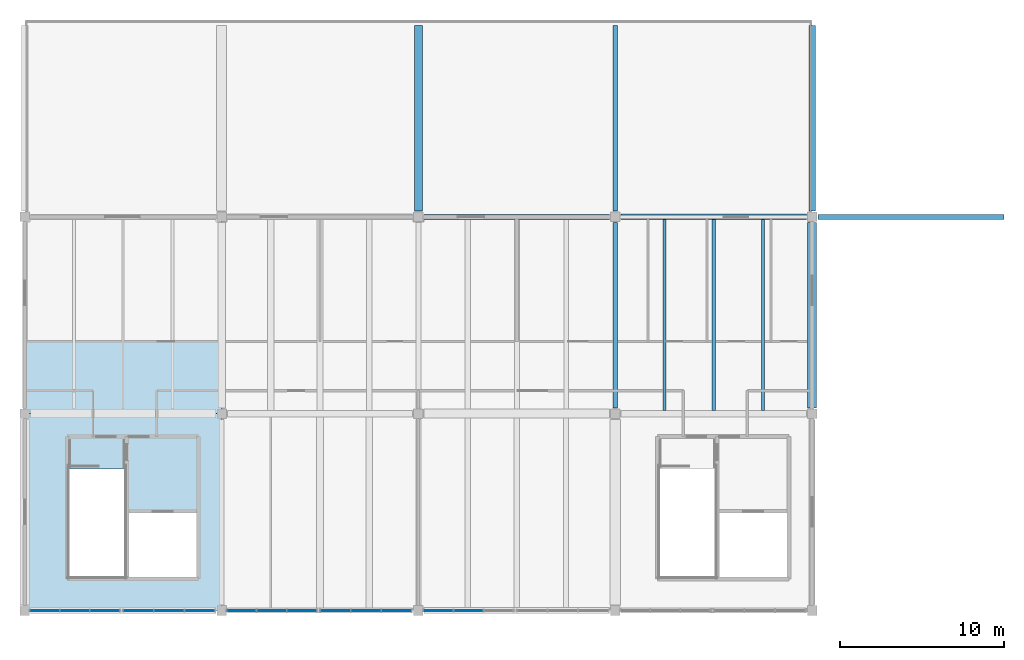
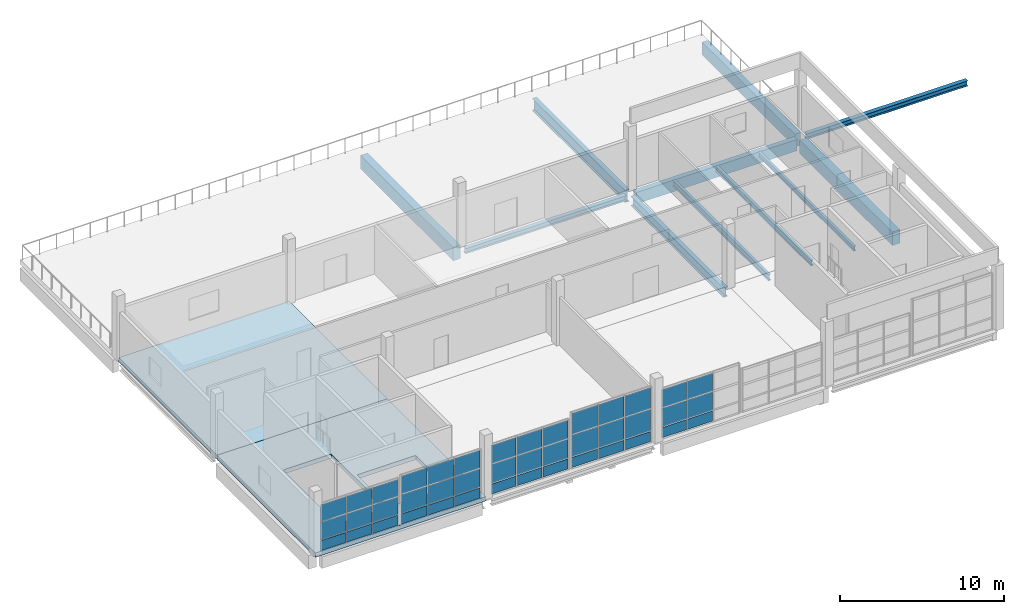
# One storey, part 4 of 8: 42 plates, 11 beams, 2 slabs, 5 elements without a shape of their own.
"""IFC4 building model written with IfcOpenShell, lengths in metres."""

from ifc_helpers import new_model, si_unit, direction, frame, origin, origin_2d, place, context, subcontext, project, spatial, polyline, rectangle, i_section, outline, extrude, material, layer, layer_set, material_profile, profile_set, type_object, element, aggregate, save


model = new_model("IFC4")

# Units and contexts
model_context = context("Model", 3, precision=1e-05, world=origin(), true_north=direction((0.0, 1.0)))
body_context = subcontext(model_context, "Body", "Model", "MODEL_VIEW")
ifc_project = project(units=[si_unit("LENGTHUNIT", "METRE"), si_unit("AREAUNIT", "SQUARE_METRE"), si_unit("VOLUMEUNIT", "CUBIC_METRE"), si_unit("PLANEANGLEUNIT", "RADIAN"), si_unit("MASSUNIT", "GRAM", prefix="KILO")], contexts=[model_context])

# Site, building, storey
site_placement = place(None, origin())
site = spatial("IfcSite", under=ifc_project, at=site_placement, CompositionType="ELEMENT")
building_placement = place(site_placement, origin())
building = spatial("IfcBuilding", under=site, at=building_placement, Name="Kamomehara Wholesale Market", CompositionType="ELEMENT")
storey_placement = place(building_placement, frame((0.0, 0.0, 16.199951171875)))
storey = spatial("IfcBuildingStorey", under=building, at=storey_placement, Name="L03", CompositionType="ELEMENT", Elevation=16.199951171875)

# Beams
ifc_material_1 = material(Name="Precast concrete Fc45 (C40/50)", Category="concrete")
ifc_material_profile_1 = material_profile(ifc_material_1, rectangle(XDim=0.5, YDim=1.0, at=origin_2d()), Name="PC-GRD-500x1000")
ifc_profile_set_1 = profile_set([ifc_material_profile_1], Name="Precast concrete Fc45 (C40/50)")
beam_type_1 = type_object("IfcBeamType", Name="BM-PG1000", PredefinedType="T_BEAM", material=ifc_profile_set_1)
beam_1_placement = place(storey_placement, frame((132.0, 36.35009765625, -0.846923828125), z_axis=(0.0, 1.0, 0.0), x_axis=(-1.0, 0.0, 0.0)))
element("IfcBeam", 1, at=beam_1_placement, inside=storey, type_object=beam_type_1, Name="Beam PG-09 L03", PredefinedType="T_BEAM", context=body_context, shape_type="SweptSolid", body=[
    extrude(rectangle(XDim=0.5, YDim=1.0, at=origin_2d()), origin(), (0.0, 0.0, 1.0), 11.324951171875),
])
ifc_material_2 = material(Name="Concrete Fc36 (C35/45)", Category="concrete")
ifc_material_profile_2 = material_profile(ifc_material_2, rectangle(XDim=0.550048828125, YDim=1.0, at=origin_2d()), Name="RC-SEB-550x1000")
ifc_profile_set_2 = profile_set([ifc_material_profile_2], Name="Concrete Fc36 (C35/45)")
beam_type_2 = type_object("IfcBeamType", Name="BM-SEB1000-EXT", PredefinedType="SPANDREL", material=ifc_profile_set_2)
beam_2_placement = place(storey_placement, frame((156.0, 24.35009765625, -0.822021484375), z_axis=(0.0, 1.0, 0.0), x_axis=(-1.0, 0.0, 0.0)))
element("IfcBeam", 2, at=beam_2_placement, inside=storey, type_object=beam_type_2, Name="Beam SEB-03E L03", PredefinedType="SPANDREL", context=body_context, shape_type="SweptSolid", body=[
    extrude(rectangle(XDim=0.550048828125, YDim=1.0, at=origin_2d()), origin(), (0.0, 0.0, 1.0), 11.2998046875),
])
ifc_material_3 = material(Name="Precast concrete Fc45 (C40/50)", Category="concrete")
ifc_material_profile_3 = material_profile(ifc_material_3, rectangle(XDim=0.35009765625, YDim=0.85009765625, at=origin_2d()), Name="PC-SPN-350x850")
ifc_profile_set_3 = profile_set([ifc_material_profile_3], Name="Precast concrete Fc45 (C40/50)")
beam_type_3 = type_object("IfcBeamType", Name="BM-SPN850-EXT", PredefinedType="SPANDREL", material=ifc_profile_set_3)
beam_3_placement = place(storey_placement, frame((144.35009765625, 36.0, -0.77197265625), z_axis=(1.0, 0.0, 0.0), x_axis=(0.0, 1.0, 0.0)))
element("IfcBeam", 3, at=beam_3_placement, inside=storey, type_object=beam_type_3, Name="Beam SPN-02E L03", PredefinedType="SPANDREL", context=body_context, shape_type="SweptSolid", body=[
    extrude(rectangle(XDim=0.35009765625, YDim=0.85009765625, at=origin_2d()), origin(), (0.0, 0.0, 1.0), 11.2998046875),
])
ifc_material_4 = material(Name="Precast concrete Fc45 (C40/50)", Category="concrete")
ifc_material_profile_4 = material_profile(ifc_material_4, rectangle(XDim=0.39990234375, YDim=0.949951171875, at=origin_2d()), Name="PC-SPN-400x950")
ifc_profile_set_4 = profile_set([ifc_material_profile_4], Name="Precast concrete Fc45 (C40/50)")
beam_type_4 = type_object("IfcBeamType", Name="BM-SPN950-EXT", PredefinedType="SPANDREL", material=ifc_profile_set_4)
beam_4_placement = place(storey_placement, frame((156.0, 36.35009765625, -0.822021484375), z_axis=(0.0, 1.0, 0.0), x_axis=(-1.0, 0.0, 0.0)))
element("IfcBeam", 4, at=beam_4_placement, inside=storey, type_object=beam_type_4, Name="Beam SPN-01E L03", PredefinedType="SPANDREL", context=body_context, shape_type="SweptSolid", body=[
    extrude(rectangle(XDim=0.39990234375, YDim=0.949951171875, at=origin_2d()), origin(), (0.0, 0.0, 1.0), 11.324951171875),
])
ifc_material_5 = material(Name="Steel SN400B", Category="steel")
ifc_material_profile_5 = material_profile(ifc_material_5, i_section(OverallWidth=0.175048828125, OverallDepth=0.35009765625, WebThickness=0.007080078125, FlangeThickness=0.010986328125, FilletRadius=0.012939453125, at=origin_2d()), Name="H-350x175x7x11")
ifc_profile_set_5 = profile_set([ifc_material_profile_5], Name="Steel SN400B")
beam_type_5 = type_object("IfcBeamType", Name="BM-ST-H350", PredefinedType="JOIST", material=ifc_profile_set_5)
beam_5_placement = place(storey_placement, frame((153.0, 24.199951171875, -0.4970703125), z_axis=(0.0, 1.0, 0.0), x_axis=(-1.0, 0.0, 0.0)))
element("IfcBeam", 5, at=beam_5_placement, inside=storey, type_object=beam_type_5, Name="Beam SJ-04 L03", PredefinedType="JOIST", context=body_context, shape_type="SweptSolid", body=[
    extrude(i_section(OverallWidth=0.175048828125, OverallDepth=0.35009765625, WebThickness=0.007080078125, FlangeThickness=0.010986328125, FilletRadius=0.012939453125, at=origin_2d()), origin(), (0.0, 0.0, 1.0), 11.625),
])
ifc_material_6 = material(Name="Steel SN490B", Category="steel")
ifc_material_profile_6 = material_profile(ifc_material_6, i_section(OverallWidth=0.300048828125, OverallDepth=0.389892578125, WebThickness=0.010009765625, FlangeThickness=0.01611328125, FilletRadius=0.01806640625, at=origin_2d()), Name="H-390x300x10x16")
ifc_profile_set_6 = profile_set([ifc_material_profile_6], Name="Steel SN490B")
beam_type_6 = type_object("IfcBeamType", Name="BM-ST-H390-EXT", PredefinedType="SPANDREL", material=ifc_profile_set_6)
beam_6_placement = place(storey_placement, frame((132.35009765625, 36.0, -0.5419921875), z_axis=(1.0, 0.0, 0.0), x_axis=(0.0, 1.0, 0.0)))
element("IfcBeam", 6, at=beam_6_placement, inside=storey, type_object=beam_type_6, Name="Beam SJ-03E L03", PredefinedType="SPANDREL", context=body_context, shape_type="SweptSolid", body=[
    extrude(i_section(OverallWidth=0.300048828125, OverallDepth=0.389892578125, WebThickness=0.010009765625, FlangeThickness=0.01611328125, FilletRadius=0.01806640625, at=origin_2d()), origin(), (0.0, 0.0, 1.0), 11.2998046875),
])
beam_7_placement = place(storey_placement, frame((156.35009765625, 36.0, -0.4150390625), z_axis=(1.0, 0.0, 0.0), x_axis=(0.0, 1.0, 0.0)))
element("IfcBeam", 7, at=beam_7_placement, inside=storey, type_object=beam_type_6, Name="Beam SJ-03E L03", PredefinedType="SPANDREL", context=body_context, shape_type="SweptSolid", body=[
    extrude(i_section(OverallWidth=0.300048828125, OverallDepth=0.389892578125, WebThickness=0.010009765625, FlangeThickness=0.01611328125, FilletRadius=0.01806640625, at=origin_2d()), origin(), (0.0, 0.0, 1.0), 11.349853515625),
])
ifc_material_7 = material(Name="Steel SN400B", Category="steel")
ifc_material_profile_7 = material_profile(ifc_material_7, i_section(OverallWidth=0.199951171875, OverallDepth=0.39990234375, WebThickness=0.008056640625, FlangeThickness=0.012939453125, FilletRadius=0.012939453125, at=origin_2d()), Name="H-400x200x8x13")
ifc_profile_set_7 = profile_set([ifc_material_profile_7], Name="Steel SN400B")
beam_type_7 = type_object("IfcBeamType", Name="BM-ST-H400", PredefinedType="JOIST", material=ifc_profile_set_7)
beam_8_placement = place(storey_placement, frame((150.0, 24.199951171875, -0.52197265625), z_axis=(0.0, 1.0, 0.0), x_axis=(-1.0, 0.0, 0.0)))
element("IfcBeam", 8, at=beam_8_placement, inside=storey, type_object=beam_type_7, Name="Beam SJ-02 L03", PredefinedType="JOIST", context=body_context, shape_type="SweptSolid", body=[
    extrude(i_section(OverallWidth=0.199951171875, OverallDepth=0.39990234375, WebThickness=0.008056640625, FlangeThickness=0.012939453125, FilletRadius=0.012939453125, at=origin_2d()), origin(), (0.0, 0.0, 1.0), 11.625),
])
ifc_material_8 = material(Name="Steel SN400B", Category="steel")
ifc_material_profile_8 = material_profile(ifc_material_8, i_section(OverallWidth=0.199951171875, OverallDepth=0.449951171875, WebThickness=0.009033203125, FlangeThickness=0.013916015625, FilletRadius=0.012939453125, at=origin_2d()), Name="H-450x200x9x14")
ifc_profile_set_8 = profile_set([ifc_material_profile_8], Name="Steel SN400B")
beam_type_8 = type_object("IfcBeamType", Name="BM-ST-H450", PredefinedType="JOIST", material=ifc_profile_set_8)
beam_9_placement = place(storey_placement, frame((147.0, 24.199951171875, -0.546875), z_axis=(0.0, 1.0, 0.0), x_axis=(-1.0, 0.0, 0.0)))
element("IfcBeam", 9, at=beam_9_placement, inside=storey, type_object=beam_type_8, Name="Beam SJ-01 L03", PredefinedType="JOIST", context=body_context, shape_type="SweptSolid", body=[
    extrude(i_section(OverallWidth=0.199951171875, OverallDepth=0.449951171875, WebThickness=0.009033203125, FlangeThickness=0.013916015625, FilletRadius=0.012939453125, at=origin_2d()), origin(), (0.0, 0.0, 1.0), 11.625),
])
ifc_material_9 = material(Name="Steel SN490B", Category="steel")
ifc_material_profile_9 = material_profile(ifc_material_9, i_section(OverallWidth=0.300048828125, OverallDepth=0.699951171875, WebThickness=0.012939453125, FlangeThickness=0.02392578125, FilletRadius=0.02197265625, at=origin_2d()), Name="H-700x300x13x24")
ifc_profile_set_9 = profile_set([ifc_material_profile_9], Name="Steel SN490B")
beam_type_9 = type_object("IfcBeamType", Name="BM-ST-H700", PredefinedType="BEAM", material=ifc_profile_set_9)
beam_10_placement = place(storey_placement, frame((144.0, 24.35009765625, -0.681884765625), z_axis=(0.0, 1.0, 0.0), x_axis=(-1.0, 0.0, 0.0)))
element("IfcBeam", 10, at=beam_10_placement, inside=storey, type_object=beam_type_9, Name="Beam SG-03 L03", PredefinedType="BEAM", context=body_context, shape_type="SweptSolid", body=[
    extrude(i_section(OverallWidth=0.300048828125, OverallDepth=0.699951171875, WebThickness=0.012939453125, FlangeThickness=0.02392578125, FilletRadius=0.02197265625, at=origin_2d()), origin(), (0.0, 0.0, 1.0), 11.2998046875),
])
ifc_material_10 = material(Name="Steel SN490B", Category="steel")
ifc_material_profile_10 = material_profile(ifc_material_10, i_section(OverallWidth=0.300048828125, OverallDepth=0.89990234375, WebThickness=0.01611328125, FlangeThickness=0.028076171875, FilletRadius=0.02392578125, at=origin_2d()), Name="H-900x300x16x28")
ifc_profile_set_10 = profile_set([ifc_material_profile_10], Name="Steel SN490B")
beam_type_10 = type_object("IfcBeamType", Name="BM-ST-H900", PredefinedType="BEAM", material=ifc_profile_set_10)
beam_11_placement = place(storey_placement, frame((144.0, 36.35009765625, -0.796875), z_axis=(0.0, 1.0, 0.0), x_axis=(-1.0, 0.0, 0.0)))
element("IfcBeam", 11, at=beam_11_placement, inside=storey, type_object=beam_type_10, Name="Beam SG-01 L03", PredefinedType="BEAM", context=body_context, shape_type="SweptSolid", body=[
    extrude(i_section(OverallWidth=0.300048828125, OverallDepth=0.89990234375, WebThickness=0.01611328125, FlangeThickness=0.028076171875, FilletRadius=0.02392578125, at=origin_2d()), origin(), (0.0, 0.0, 1.0), 11.324951171875),
])

# Curtain wall, plates
ifc_material_11 = material(Name="Anodised aluminium 6063-T5", Category="aluminium")
curtain_wall_type = type_object("IfcCurtainWallType", Name="CW-UN-01", PredefinedType="NOTDEFINED", material=ifc_material_11)
curtain_wall_1_placement = place(storey_placement, origin())
curtain_wall_1 = element("IfcCurtainWall", 12, at=curtain_wall_1_placement, inside=storey, type_object=curtain_wall_type, Name="Unitised curtain wall CW-151", PredefinedType="NOTDEFINED")
ifc_material_12 = material(Name="Solar-control Low-E double glazing", Category="glass")
ifc_layer_1 = layer(ifc_material_12, 0.028076171875)
ifc_layer_set_1 = layer_set([ifc_layer_1], Name="Solar-control Low-E double glazing")
plate_type_1 = type_object("IfcPlateType", Name="CW-PNL-GLZ", PredefinedType="CURTAIN_PANEL", material=ifc_layer_set_1)
plate_1_placement = place(storey_placement, frame((118.6669921875, 11.97998046875, 0.87939453125), z_axis=(0.0, 0.0, 1.0), x_axis=(-1.0, 0.0, 0.0)))
plate_1 = element("IfcPlate", 13, at=plate_1_placement, type_object=plate_type_1, Name="Curtain panel CW-151.0.1", PredefinedType="CURTAIN_PANEL", context=body_context, shape_type="SweptSolid", body=[
    extrude(rectangle(XDim=1.787109375, YDim=0.028076171875, at=origin_2d()), origin(), (0.0, 0.0, 1.0), 1.368896484375),
])
plate_2_placement = place(storey_placement, frame((118.6669921875, 11.97998046875, 2.30859375), z_axis=(0.0, 0.0, 1.0), x_axis=(-1.0, 0.0, 0.0)))
plate_2 = element("IfcPlate", 14, at=plate_2_placement, type_object=plate_type_1, Name="Curtain panel CW-151.0.2", PredefinedType="CURTAIN_PANEL", context=body_context, shape_type="SweptSolid", body=[
    extrude(rectangle(XDim=1.787109375, YDim=0.028076171875, at=origin_2d()), origin(), (0.0, 0.0, 1.0), 1.3291015625),
])
plate_3_placement = place(storey_placement, frame((116.800048828125, 11.97998046875, 0.87939453125), z_axis=(0.0, 0.0, 1.0), x_axis=(-1.0, 0.0, 0.0)))
plate_3 = element("IfcPlate", 15, at=plate_3_placement, type_object=plate_type_1, Name="Curtain panel CW-151.1.1", PredefinedType="CURTAIN_PANEL", context=body_context, shape_type="SweptSolid", body=[
    extrude(rectangle(XDim=1.787109375, YDim=0.028076171875, at=origin_2d()), origin(), (0.0, 0.0, 1.0), 1.368896484375),
])
plate_4_placement = place(storey_placement, frame((116.800048828125, 11.97998046875, 2.30859375), z_axis=(0.0, 0.0, 1.0), x_axis=(-1.0, 0.0, 0.0)))
plate_4 = element("IfcPlate", 16, at=plate_4_placement, type_object=plate_type_1, Name="Curtain panel CW-151.1.2", PredefinedType="CURTAIN_PANEL", context=body_context, shape_type="SweptSolid", body=[
    extrude(rectangle(XDim=1.787109375, YDim=0.028076171875, at=origin_2d()), origin(), (0.0, 0.0, 1.0), 1.3291015625),
])
plate_5_placement = place(storey_placement, frame((114.93310546875, 11.97998046875, 0.87939453125), z_axis=(0.0, 0.0, 1.0), x_axis=(-1.0, 0.0, 0.0)))
plate_5 = element("IfcPlate", 17, at=plate_5_placement, type_object=plate_type_1, Name="Curtain panel CW-151.2.1", PredefinedType="CURTAIN_PANEL", context=body_context, shape_type="SweptSolid", body=[
    extrude(rectangle(XDim=1.787109375, YDim=0.028076171875, at=origin_2d()), origin(), (0.0, 0.0, 1.0), 1.368896484375),
])
plate_6_placement = place(storey_placement, frame((114.93310546875, 11.97998046875, 2.30859375), z_axis=(0.0, 0.0, 1.0), x_axis=(-1.0, 0.0, 0.0)))
plate_6 = element("IfcPlate", 18, at=plate_6_placement, type_object=plate_type_1, Name="Curtain panel CW-151.2.2", PredefinedType="CURTAIN_PANEL", context=body_context, shape_type="SweptSolid", body=[
    extrude(rectangle(XDim=1.787109375, YDim=0.028076171875, at=origin_2d()), origin(), (0.0, 0.0, 1.0), 1.3291015625),
])

curtain_wall_2_placement = place(storey_placement, origin())
curtain_wall_2 = element("IfcCurtainWall", 19, at=curtain_wall_2_placement, inside=storey, type_object=curtain_wall_type, Name="Unitised curtain wall CW-152", PredefinedType="NOTDEFINED")
plate_7_placement = place(storey_placement, frame((112.883056640625, 11.97998046875, 0.880126953125), z_axis=(0.0, 0.0, 1.0), x_axis=(-1.0, 0.0, 0.0)))
plate_7 = element("IfcPlate", 20, at=plate_7_placement, type_object=plate_type_1, Name="Curtain panel CW-152.0.1", PredefinedType="CURTAIN_PANEL", context=body_context, shape_type="SweptSolid", body=[
    extrude(rectangle(XDim=1.7529296875, YDim=0.028076171875, at=origin_2d()), origin(), (0.0, 0.0, 1.0), 1.2939453125),
])
plate_8_placement = place(storey_placement, frame((112.883056640625, 11.97998046875, 2.234130859375), z_axis=(0.0, 0.0, 1.0), x_axis=(-1.0, 0.0, 0.0)))
plate_8 = element("IfcPlate", 21, at=plate_8_placement, type_object=plate_type_1, Name="Curtain panel CW-152.0.2", PredefinedType="CURTAIN_PANEL", context=body_context, shape_type="SweptSolid", body=[
    extrude(rectangle(XDim=1.7529296875, YDim=0.028076171875, at=origin_2d()), origin(), (0.0, 0.0, 1.0), 1.25390625),
])
plate_9_placement = place(storey_placement, frame((111.050048828125, 11.97998046875, 0.880126953125), z_axis=(0.0, 0.0, 1.0), x_axis=(-1.0, 0.0, 0.0)))
plate_9 = element("IfcPlate", 22, at=plate_9_placement, type_object=plate_type_1, Name="Curtain panel CW-152.1.1", PredefinedType="CURTAIN_PANEL", context=body_context, shape_type="SweptSolid", body=[
    extrude(rectangle(XDim=1.7529296875, YDim=0.028076171875, at=origin_2d()), origin(), (0.0, 0.0, 1.0), 1.2939453125),
])
plate_10_placement = place(storey_placement, frame((111.050048828125, 11.97998046875, 2.234130859375), z_axis=(0.0, 0.0, 1.0), x_axis=(-1.0, 0.0, 0.0)))
plate_10 = element("IfcPlate", 23, at=plate_10_placement, type_object=plate_type_1, Name="Curtain panel CW-152.1.2", PredefinedType="CURTAIN_PANEL", context=body_context, shape_type="SweptSolid", body=[
    extrude(rectangle(XDim=1.7529296875, YDim=0.028076171875, at=origin_2d()), origin(), (0.0, 0.0, 1.0), 1.25390625),
])
plate_11_placement = place(storey_placement, frame((109.217041015625, 11.97998046875, 0.880126953125), z_axis=(0.0, 0.0, 1.0), x_axis=(-1.0, 0.0, 0.0)))
plate_11 = element("IfcPlate", 24, at=plate_11_placement, type_object=plate_type_1, Name="Curtain panel CW-152.2.1", PredefinedType="CURTAIN_PANEL", context=body_context, shape_type="SweptSolid", body=[
    extrude(rectangle(XDim=1.7529296875, YDim=0.028076171875, at=origin_2d()), origin(), (0.0, 0.0, 1.0), 1.2939453125),
])
plate_12_placement = place(storey_placement, frame((109.217041015625, 11.97998046875, 2.234130859375), z_axis=(0.0, 0.0, 1.0), x_axis=(-1.0, 0.0, 0.0)))
plate_12 = element("IfcPlate", 25, at=plate_12_placement, type_object=plate_type_1, Name="Curtain panel CW-152.2.2", PredefinedType="CURTAIN_PANEL", context=body_context, shape_type="SweptSolid", body=[
    extrude(rectangle(XDim=1.7529296875, YDim=0.028076171875, at=origin_2d()), origin(), (0.0, 0.0, 1.0), 1.25390625),
])

curtain_wall_3_placement = place(storey_placement, origin())
curtain_wall_3 = element("IfcCurtainWall", 26, at=curtain_wall_3_placement, inside=storey, type_object=curtain_wall_type, Name="Unitised curtain wall CW-153", PredefinedType="NOTDEFINED")
plate_13_placement = place(storey_placement, frame((130.6669921875, 11.97998046875, 0.88037109375), z_axis=(0.0, 0.0, 1.0), x_axis=(-1.0, 0.0, 0.0)))
plate_13 = element("IfcPlate", 27, at=plate_13_placement, type_object=plate_type_1, Name="Curtain panel CW-153.0.1", PredefinedType="CURTAIN_PANEL", context=body_context, shape_type="SweptSolid", body=[
    extrude(rectangle(XDim=1.787109375, YDim=0.028076171875, at=origin_2d()), origin(), (0.0, 0.0, 1.0), 1.59912109375),
])
plate_14_placement = place(storey_placement, frame((130.6669921875, 11.97998046875, 2.53857421875), z_axis=(0.0, 0.0, 1.0), x_axis=(-1.0, 0.0, 0.0)))
plate_14 = element("IfcPlate", 28, at=plate_14_placement, type_object=plate_type_1, Name="Curtain panel CW-153.0.2", PredefinedType="CURTAIN_PANEL", context=body_context, shape_type="SweptSolid", body=[
    extrude(rectangle(XDim=1.787109375, YDim=0.028076171875, at=origin_2d()), origin(), (0.0, 0.0, 1.0), 1.55908203125),
])
plate_15_placement = place(storey_placement, frame((128.800048828125, 11.97998046875, 0.88037109375), z_axis=(0.0, 0.0, 1.0), x_axis=(-1.0, 0.0, 0.0)))
plate_15 = element("IfcPlate", 29, at=plate_15_placement, type_object=plate_type_1, Name="Curtain panel CW-153.1.1", PredefinedType="CURTAIN_PANEL", context=body_context, shape_type="SweptSolid", body=[
    extrude(rectangle(XDim=1.787109375, YDim=0.028076171875, at=origin_2d()), origin(), (0.0, 0.0, 1.0), 1.59912109375),
])
plate_16_placement = place(storey_placement, frame((128.800048828125, 11.97998046875, 2.53857421875), z_axis=(0.0, 0.0, 1.0), x_axis=(-1.0, 0.0, 0.0)))
plate_16 = element("IfcPlate", 30, at=plate_16_placement, type_object=plate_type_1, Name="Curtain panel CW-153.1.2", PredefinedType="CURTAIN_PANEL", context=body_context, shape_type="SweptSolid", body=[
    extrude(rectangle(XDim=1.787109375, YDim=0.028076171875, at=origin_2d()), origin(), (0.0, 0.0, 1.0), 1.55908203125),
])
plate_17_placement = place(storey_placement, frame((126.93310546875, 11.97998046875, 0.88037109375), z_axis=(0.0, 0.0, 1.0), x_axis=(-1.0, 0.0, 0.0)))
plate_17 = element("IfcPlate", 31, at=plate_17_placement, type_object=plate_type_1, Name="Curtain panel CW-153.2.1", PredefinedType="CURTAIN_PANEL", context=body_context, shape_type="SweptSolid", body=[
    extrude(rectangle(XDim=1.787109375, YDim=0.028076171875, at=origin_2d()), origin(), (0.0, 0.0, 1.0), 1.59912109375),
])
plate_18_placement = place(storey_placement, frame((126.93310546875, 11.97998046875, 2.53857421875), z_axis=(0.0, 0.0, 1.0), x_axis=(-1.0, 0.0, 0.0)))
plate_18 = element("IfcPlate", 32, at=plate_18_placement, type_object=plate_type_1, Name="Curtain panel CW-153.2.2", PredefinedType="CURTAIN_PANEL", context=body_context, shape_type="SweptSolid", body=[
    extrude(rectangle(XDim=1.787109375, YDim=0.028076171875, at=origin_2d()), origin(), (0.0, 0.0, 1.0), 1.55908203125),
])

curtain_wall_4_placement = place(storey_placement, origin())
curtain_wall_4 = element("IfcCurtainWall", 33, at=curtain_wall_4_placement, inside=storey, type_object=curtain_wall_type, Name="Unitised curtain wall CW-154", PredefinedType="NOTDEFINED")
plate_19_placement = place(storey_placement, frame((124.883056640625, 11.97998046875, 0.880126953125), z_axis=(0.0, 0.0, 1.0), x_axis=(-1.0, 0.0, 0.0)))
plate_19 = element("IfcPlate", 34, at=plate_19_placement, type_object=plate_type_1, Name="Curtain panel CW-154.0.1", PredefinedType="CURTAIN_PANEL", context=body_context, shape_type="SweptSolid", body=[
    extrude(rectangle(XDim=1.7529296875, YDim=0.028076171875, at=origin_2d()), origin(), (0.0, 0.0, 1.0), 1.39794921875),
])
plate_20_placement = place(storey_placement, frame((124.883056640625, 11.97998046875, 2.338134765625), z_axis=(0.0, 0.0, 1.0), x_axis=(-1.0, 0.0, 0.0)))
plate_20 = element("IfcPlate", 35, at=plate_20_placement, type_object=plate_type_1, Name="Curtain panel CW-154.0.2", PredefinedType="CURTAIN_PANEL", context=body_context, shape_type="SweptSolid", body=[
    extrude(rectangle(XDim=1.7529296875, YDim=0.028076171875, at=origin_2d()), origin(), (0.0, 0.0, 1.0), 1.35791015625),
])
plate_21_placement = place(storey_placement, frame((123.050048828125, 11.97998046875, 0.880126953125), z_axis=(0.0, 0.0, 1.0), x_axis=(-1.0, 0.0, 0.0)))
plate_21 = element("IfcPlate", 36, at=plate_21_placement, type_object=plate_type_1, Name="Curtain panel CW-154.1.1", PredefinedType="CURTAIN_PANEL", context=body_context, shape_type="SweptSolid", body=[
    extrude(rectangle(XDim=1.7529296875, YDim=0.028076171875, at=origin_2d()), origin(), (0.0, 0.0, 1.0), 1.39794921875),
])
plate_22_placement = place(storey_placement, frame((123.050048828125, 11.97998046875, 2.338134765625), z_axis=(0.0, 0.0, 1.0), x_axis=(-1.0, 0.0, 0.0)))
plate_22 = element("IfcPlate", 37, at=plate_22_placement, type_object=plate_type_1, Name="Curtain panel CW-154.1.2", PredefinedType="CURTAIN_PANEL", context=body_context, shape_type="SweptSolid", body=[
    extrude(rectangle(XDim=1.7529296875, YDim=0.028076171875, at=origin_2d()), origin(), (0.0, 0.0, 1.0), 1.35791015625),
])
plate_23_placement = place(storey_placement, frame((121.217041015625, 11.97998046875, 0.880126953125), z_axis=(0.0, 0.0, 1.0), x_axis=(-1.0, 0.0, 0.0)))
plate_23 = element("IfcPlate", 38, at=plate_23_placement, type_object=plate_type_1, Name="Curtain panel CW-154.2.1", PredefinedType="CURTAIN_PANEL", context=body_context, shape_type="SweptSolid", body=[
    extrude(rectangle(XDim=1.7529296875, YDim=0.028076171875, at=origin_2d()), origin(), (0.0, 0.0, 1.0), 1.39794921875),
])
plate_24_placement = place(storey_placement, frame((121.217041015625, 11.97998046875, 2.338134765625), z_axis=(0.0, 0.0, 1.0), x_axis=(-1.0, 0.0, 0.0)))
plate_24 = element("IfcPlate", 39, at=plate_24_placement, type_object=plate_type_1, Name="Curtain panel CW-154.2.2", PredefinedType="CURTAIN_PANEL", context=body_context, shape_type="SweptSolid", body=[
    extrude(rectangle(XDim=1.7529296875, YDim=0.028076171875, at=origin_2d()), origin(), (0.0, 0.0, 1.0), 1.35791015625),
])

curtain_wall_5_placement = place(storey_placement, origin())
curtain_wall_5 = element("IfcCurtainWall", 40, at=curtain_wall_5_placement, inside=storey, type_object=curtain_wall_type, Name="Unitised curtain wall CW-156", PredefinedType="NOTDEFINED")
plate_25_placement = place(storey_placement, frame((135.050048828125, 11.97998046875, 0.87939453125), z_axis=(0.0, 0.0, 1.0), x_axis=(-1.0, 0.0, 0.0)))
plate_25 = element("IfcPlate", 41, at=plate_25_placement, type_object=plate_type_1, Name="Curtain panel CW-156.1.1", PredefinedType="CURTAIN_PANEL", context=body_context, shape_type="SweptSolid", body=[
    extrude(rectangle(XDim=1.7529296875, YDim=0.028076171875, at=origin_2d()), origin(), (0.0, 0.0, 1.0), 1.368896484375),
])
plate_26_placement = place(storey_placement, frame((135.050048828125, 11.97998046875, 2.30859375), z_axis=(0.0, 0.0, 1.0), x_axis=(-1.0, 0.0, 0.0)))
plate_26 = element("IfcPlate", 42, at=plate_26_placement, type_object=plate_type_1, Name="Curtain panel CW-156.1.2", PredefinedType="CURTAIN_PANEL", context=body_context, shape_type="SweptSolid", body=[
    extrude(rectangle(XDim=1.7529296875, YDim=0.028076171875, at=origin_2d()), origin(), (0.0, 0.0, 1.0), 1.3291015625),
])
plate_27_placement = place(storey_placement, frame((133.217041015625, 11.97998046875, 0.87939453125), z_axis=(0.0, 0.0, 1.0), x_axis=(-1.0, 0.0, 0.0)))
plate_27 = element("IfcPlate", 43, at=plate_27_placement, type_object=plate_type_1, Name="Curtain panel CW-156.2.1", PredefinedType="CURTAIN_PANEL", context=body_context, shape_type="SweptSolid", body=[
    extrude(rectangle(XDim=1.7529296875, YDim=0.028076171875, at=origin_2d()), origin(), (0.0, 0.0, 1.0), 1.368896484375),
])
plate_28_placement = place(storey_placement, frame((133.217041015625, 11.97998046875, 2.30859375), z_axis=(0.0, 0.0, 1.0), x_axis=(-1.0, 0.0, 0.0)))
plate_28 = element("IfcPlate", 44, at=plate_28_placement, type_object=plate_type_1, Name="Curtain panel CW-156.2.2", PredefinedType="CURTAIN_PANEL", context=body_context, shape_type="SweptSolid", body=[
    extrude(rectangle(XDim=1.7529296875, YDim=0.028076171875, at=origin_2d()), origin(), (0.0, 0.0, 1.0), 1.3291015625),
])

# Plate
ifc_material_13 = material(Name="Insulated aluminium spandrel panel", Category="aluminium")
ifc_layer_2 = layer(ifc_material_13, 0.0400390625)
ifc_layer_set_2 = layer_set([ifc_layer_2], Name="Insulated aluminium spandrel panel")
plate_type_2 = type_object("IfcPlateType", Name="CW-PNL-SPN", PredefinedType="CURTAIN_PANEL", material=ifc_layer_set_2)
plate_29_placement = place(storey_placement, frame((118.6669921875, 11.97998046875, 0.070068359375), z_axis=(0.0, 0.0, 1.0), x_axis=(-1.0, 0.0, 0.0)))
plate_29 = element("IfcPlate", 45, at=plate_29_placement, type_object=plate_type_2, Name="Curtain panel CW-151.0.0", PredefinedType="CURTAIN_PANEL", context=body_context, shape_type="SweptSolid", body=[
    extrude(rectangle(XDim=1.787109375, YDim=0.0400390625, at=origin_2d()), origin(), (0.0, 0.0, 1.0), 0.75),
])

plate_30_placement = place(storey_placement, frame((116.800048828125, 11.97998046875, 0.070068359375), z_axis=(0.0, 0.0, 1.0), x_axis=(-1.0, 0.0, 0.0)))
plate_30 = element("IfcPlate", 46, at=plate_30_placement, type_object=plate_type_2, Name="Curtain panel CW-151.1.0", PredefinedType="CURTAIN_PANEL", context=body_context, shape_type="SweptSolid", body=[
    extrude(rectangle(XDim=1.787109375, YDim=0.0400390625, at=origin_2d()), origin(), (0.0, 0.0, 1.0), 0.75),
])

plate_31_placement = place(storey_placement, frame((114.93310546875, 11.97998046875, 0.070068359375), z_axis=(0.0, 0.0, 1.0), x_axis=(-1.0, 0.0, 0.0)))
plate_31 = element("IfcPlate", 47, at=plate_31_placement, type_object=plate_type_2, Name="Curtain panel CW-151.2.0", PredefinedType="CURTAIN_PANEL", context=body_context, shape_type="SweptSolid", body=[
    extrude(rectangle(XDim=1.787109375, YDim=0.0400390625, at=origin_2d()), origin(), (0.0, 0.0, 1.0), 0.75),
])

aggregate(curtain_wall_1, [plate_29, plate_1, plate_2, plate_30, plate_3, plate_4, plate_31, plate_5, plate_6])

plate_32_placement = place(storey_placement, frame((112.883056640625, 11.97998046875, 0.070068359375), z_axis=(0.0, 0.0, 1.0), x_axis=(-1.0, 0.0, 0.0)))
plate_32 = element("IfcPlate", 48, at=plate_32_placement, type_object=plate_type_2, Name="Curtain panel CW-152.0.0", PredefinedType="CURTAIN_PANEL", context=body_context, shape_type="SweptSolid", body=[
    extrude(rectangle(XDim=1.7529296875, YDim=0.0400390625, at=origin_2d()), origin(), (0.0, 0.0, 1.0), 0.75),
])

plate_33_placement = place(storey_placement, frame((111.050048828125, 11.97998046875, 0.070068359375), z_axis=(0.0, 0.0, 1.0), x_axis=(-1.0, 0.0, 0.0)))
plate_33 = element("IfcPlate", 49, at=plate_33_placement, type_object=plate_type_2, Name="Curtain panel CW-152.1.0", PredefinedType="CURTAIN_PANEL", context=body_context, shape_type="SweptSolid", body=[
    extrude(rectangle(XDim=1.7529296875, YDim=0.0400390625, at=origin_2d()), origin(), (0.0, 0.0, 1.0), 0.75),
])

plate_34_placement = place(storey_placement, frame((109.217041015625, 11.97998046875, 0.070068359375), z_axis=(0.0, 0.0, 1.0), x_axis=(-1.0, 0.0, 0.0)))
plate_34 = element("IfcPlate", 50, at=plate_34_placement, type_object=plate_type_2, Name="Curtain panel CW-152.2.0", PredefinedType="CURTAIN_PANEL", context=body_context, shape_type="SweptSolid", body=[
    extrude(rectangle(XDim=1.7529296875, YDim=0.0400390625, at=origin_2d()), origin(), (0.0, 0.0, 1.0), 0.75),
])

aggregate(curtain_wall_2, [plate_32, plate_7, plate_8, plate_33, plate_9, plate_10, plate_34, plate_11, plate_12])

plate_35_placement = place(storey_placement, frame((130.6669921875, 11.97998046875, 0.070068359375), z_axis=(0.0, 0.0, 1.0), x_axis=(-1.0, 0.0, 0.0)))
plate_35 = element("IfcPlate", 51, at=plate_35_placement, type_object=plate_type_2, Name="Curtain panel CW-153.0.0", PredefinedType="CURTAIN_PANEL", context=body_context, shape_type="SweptSolid", body=[
    extrude(rectangle(XDim=1.787109375, YDim=0.0400390625, at=origin_2d()), origin(), (0.0, 0.0, 1.0), 0.75),
])

plate_36_placement = place(storey_placement, frame((128.800048828125, 11.97998046875, 0.070068359375), z_axis=(0.0, 0.0, 1.0), x_axis=(-1.0, 0.0, 0.0)))
plate_36 = element("IfcPlate", 52, at=plate_36_placement, type_object=plate_type_2, Name="Curtain panel CW-153.1.0", PredefinedType="CURTAIN_PANEL", context=body_context, shape_type="SweptSolid", body=[
    extrude(rectangle(XDim=1.787109375, YDim=0.0400390625, at=origin_2d()), origin(), (0.0, 0.0, 1.0), 0.75),
])

plate_37_placement = place(storey_placement, frame((126.93310546875, 11.97998046875, 0.070068359375), z_axis=(0.0, 0.0, 1.0), x_axis=(-1.0, 0.0, 0.0)))
plate_37 = element("IfcPlate", 53, at=plate_37_placement, type_object=plate_type_2, Name="Curtain panel CW-153.2.0", PredefinedType="CURTAIN_PANEL", context=body_context, shape_type="SweptSolid", body=[
    extrude(rectangle(XDim=1.787109375, YDim=0.0400390625, at=origin_2d()), origin(), (0.0, 0.0, 1.0), 0.75),
])

aggregate(curtain_wall_3, [plate_35, plate_13, plate_14, plate_36, plate_15, plate_16, plate_37, plate_17, plate_18])

plate_38_placement = place(storey_placement, frame((124.883056640625, 11.97998046875, 0.070068359375), z_axis=(0.0, 0.0, 1.0), x_axis=(-1.0, 0.0, 0.0)))
plate_38 = element("IfcPlate", 54, at=plate_38_placement, type_object=plate_type_2, Name="Curtain panel CW-154.0.0", PredefinedType="CURTAIN_PANEL", context=body_context, shape_type="SweptSolid", body=[
    extrude(rectangle(XDim=1.7529296875, YDim=0.0400390625, at=origin_2d()), origin(), (0.0, 0.0, 1.0), 0.75),
])

plate_39_placement = place(storey_placement, frame((123.050048828125, 11.97998046875, 0.070068359375), z_axis=(0.0, 0.0, 1.0), x_axis=(-1.0, 0.0, 0.0)))
plate_39 = element("IfcPlate", 55, at=plate_39_placement, type_object=plate_type_2, Name="Curtain panel CW-154.1.0", PredefinedType="CURTAIN_PANEL", context=body_context, shape_type="SweptSolid", body=[
    extrude(rectangle(XDim=1.7529296875, YDim=0.0400390625, at=origin_2d()), origin(), (0.0, 0.0, 1.0), 0.75),
])

plate_40_placement = place(storey_placement, frame((121.217041015625, 11.97998046875, 0.070068359375), z_axis=(0.0, 0.0, 1.0), x_axis=(-1.0, 0.0, 0.0)))
plate_40 = element("IfcPlate", 56, at=plate_40_placement, type_object=plate_type_2, Name="Curtain panel CW-154.2.0", PredefinedType="CURTAIN_PANEL", context=body_context, shape_type="SweptSolid", body=[
    extrude(rectangle(XDim=1.7529296875, YDim=0.0400390625, at=origin_2d()), origin(), (0.0, 0.0, 1.0), 0.75),
])

aggregate(curtain_wall_4, [plate_38, plate_19, plate_20, plate_39, plate_21, plate_22, plate_40, plate_23, plate_24])

plate_41_placement = place(storey_placement, frame((135.050048828125, 11.97998046875, 0.070068359375), z_axis=(0.0, 0.0, 1.0), x_axis=(-1.0, 0.0, 0.0)))
plate_41 = element("IfcPlate", 57, at=plate_41_placement, type_object=plate_type_2, Name="Curtain panel CW-156.1.0", PredefinedType="CURTAIN_PANEL", context=body_context, shape_type="SweptSolid", body=[
    extrude(rectangle(XDim=1.7529296875, YDim=0.0400390625, at=origin_2d()), origin(), (0.0, 0.0, 1.0), 0.75),
])

plate_42_placement = place(storey_placement, frame((133.217041015625, 11.97998046875, 0.070068359375), z_axis=(0.0, 0.0, 1.0), x_axis=(-1.0, 0.0, 0.0)))
plate_42 = element("IfcPlate", 58, at=plate_42_placement, type_object=plate_type_2, Name="Curtain panel CW-156.2.0", PredefinedType="CURTAIN_PANEL", context=body_context, shape_type="SweptSolid", body=[
    extrude(rectangle(XDim=1.7529296875, YDim=0.0400390625, at=origin_2d()), origin(), (0.0, 0.0, 1.0), 0.75),
])

aggregate(curtain_wall_5, [plate_41, plate_25, plate_26, plate_42, plate_27, plate_28])

# Slabs
ifc_material_14 = material(Name="Concrete Fc36 (C35/45)", Category="concrete")
ifc_layer_3 = layer(ifc_material_14, 0.31005859375)
ifc_layer_set_3 = layer_set([ifc_layer_3], Name="Concrete Fc36 (C35/45)")
slab_type_1 = type_object("IfcSlabType", Name="SLB-FLR-220", PredefinedType="FLOOR", material=ifc_layer_set_3)
slab_1_placement = place(storey_placement, frame((0.0, 0.0, -0.31005859375)))
element("IfcSlab", 59, at=slab_1_placement, inside=storey, type_object=slab_type_1, Name="Floor slab V5 L03 130", PredefinedType="FLOOR", context=body_context, shape_type="SweptSolid", body=[
    extrude(outline(polyline([(120.0, 24.0), (108.0, 24.0), (108.0, 36.0), (120.0, 36.0), (120.0, 24.0)])), origin(), (0.0, 0.0, 1.0), 0.31005859375),
])
ifc_material_15 = material(Name="Concrete Fc36 (C35/45)", Category="concrete")
ifc_layer_4 = layer(ifc_material_15, 0.320068359375)
ifc_layer_set_4 = layer_set([ifc_layer_4], Name="Concrete Fc36 (C35/45)")
slab_type_2 = type_object("IfcSlabType", Name="SLB-FLR-240", PredefinedType="FLOOR", material=ifc_layer_set_4)
slab_2_placement = place(storey_placement, frame((0.0, 0.0, -0.320068359375)))
element("IfcSlab", 60, at=slab_2_placement, inside=storey, type_object=slab_type_2, Name="Floor slab V5 L03 129", PredefinedType="FLOOR", context=body_context, shape_type="SweptSolid", body=[
    extrude(outline(polyline([(120.0, 24.0), (120.0, 12.0), (108.0, 12.0), (108.0, 24.0), (120.0, 24.0)]), holes=[polyline([(114.10009765625, 14.050048828125), (114.10009765625, 20.6298828125), (110.699951171875, 20.6298828125), (110.699951171875, 14.050048828125), (114.10009765625, 14.050048828125)]), polyline([(118.47998046875, 14.050048828125), (118.47998046875, 17.929931640625), (114.340087890625, 17.929931640625), (114.340087890625, 14.050048828125), (118.47998046875, 14.050048828125)])]), origin(), (0.0, 0.0, 1.0), 0.320068359375),
])

save(model, "model.ifc")
